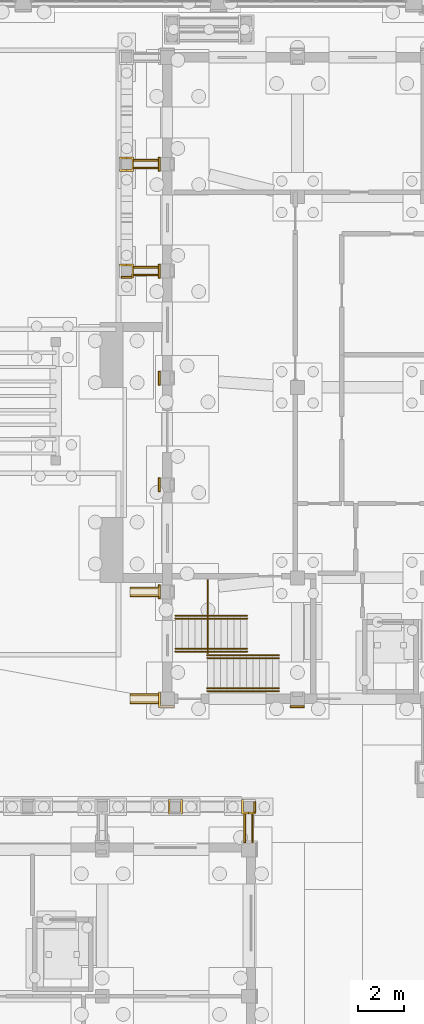
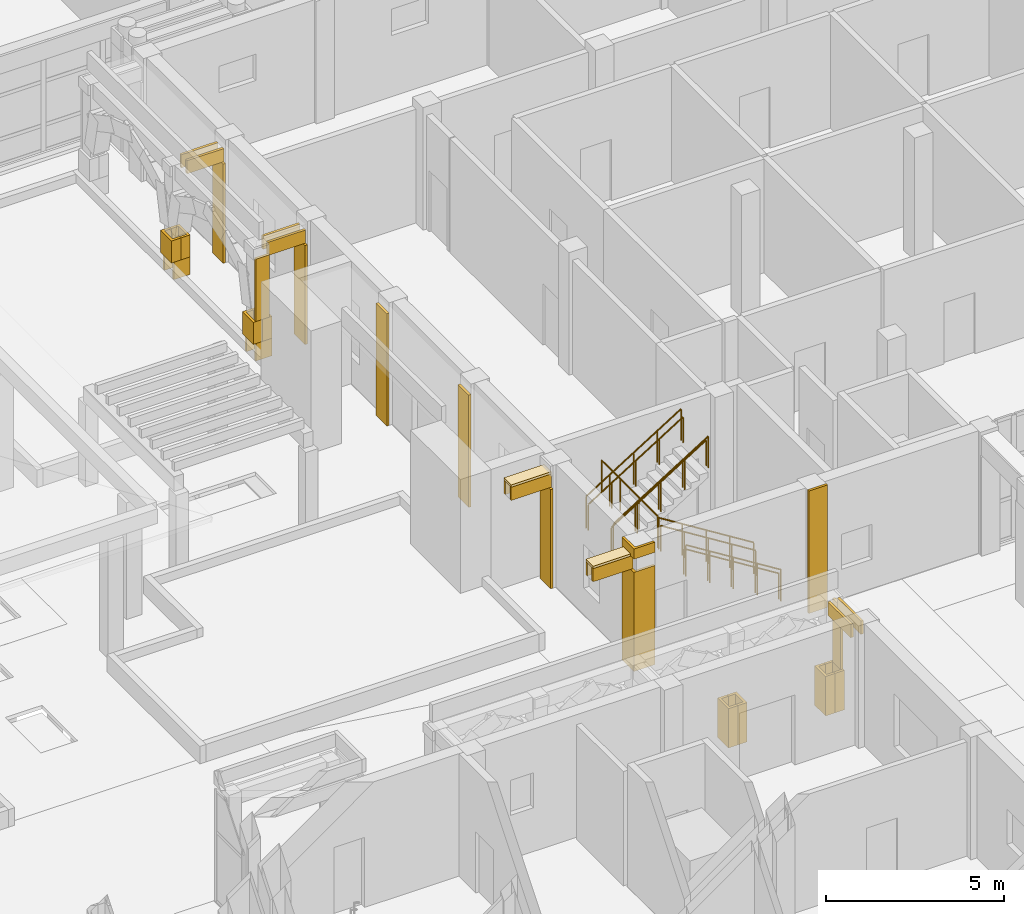
# One storey, part 99 of 112: 32 coverings, 9 railings.
"""IFC4 building model written with IfcOpenShell, lengths in metres."""

from ifc_helpers import new_model, si_unit, direction, frame, origin, origin_2d, place, context, subcontext, project, spatial, polyline, circle, outline, extrude, material, layer, layer_set, type_object, element, save


model = new_model("IFC4")

# Units and contexts
model_context = context("Model", 3, precision=1e-05, world=origin(), true_north=direction((0.0, 1.0)))
body_context = subcontext(model_context, "Body", "Model", "MODEL_VIEW")
ifc_project = project(units=[si_unit("LENGTHUNIT", "METRE"), si_unit("AREAUNIT", "SQUARE_METRE"), si_unit("VOLUMEUNIT", "CUBIC_METRE"), si_unit("PLANEANGLEUNIT", "RADIAN"), si_unit("MASSUNIT", "GRAM", prefix="KILO")], contexts=[model_context])

# Site, building, storey
site_placement = place(None, origin())
site = spatial("IfcSite", under=ifc_project, at=site_placement, CompositionType="ELEMENT")
building_placement = place(site_placement, origin())
building = spatial("IfcBuilding", under=site, at=building_placement, Name="Wasatch Bagh Community Centre", CompositionType="ELEMENT")
storey_placement = place(building_placement, origin())
storey = spatial("IfcBuildingStorey", under=building, at=storey_placement, Name="L00", CompositionType="ELEMENT", Elevation=0.0)

# Coverings
ifc_material_1 = material(Name="Cast stone cladding", Category="masonry")
ifc_layer_1 = layer(ifc_material_1, 0.080078125)
ifc_layer_set_1 = layer_set([ifc_layer_1], Name="Cast stone cladding")
covering_type_1 = type_object("IfcCoveringType", Name="CL-B7 beam facing", PredefinedType="CLADDING", material=ifc_layer_set_1)
covering_1_placement = place(storey_placement, frame((0.0, 0.0, 3.39990234375)))
element("IfcCovering", 1, at=covering_1_placement, inside=storey, type_object=covering_type_1, Name="Beam facing", PredefinedType="CLADDING", context=body_context, shape_type="SweptSolid", body=[
    extrude(outline(polyline([(115.574951171875, 32.0), (115.574951171875, 33.2900390625), (115.4951171875, 33.2900390625), (115.4951171875, 32.0), (115.574951171875, 32.0)])), origin(), (0.0, 0.0, 1.0), 0.4501953125),
])
covering_2_placement = place(storey_placement, frame((0.0, 0.0, 3.39990234375)))
element("IfcCovering", 2, at=covering_2_placement, inside=storey, type_object=covering_type_1, Name="Beam facing", PredefinedType="CLADDING", context=body_context, shape_type="SweptSolid", body=[
    extrude(outline(polyline([(115.824951171875, 32.0), (115.824951171875, 33.324951171875), (115.905029296875, 33.324951171875), (115.905029296875, 32.0), (115.824951171875, 32.0)])), origin(), (0.0, 0.0, 1.0), 0.4501953125),
])
covering_3_placement = place(storey_placement, frame((0.0, 0.0, 3.39990234375)))
element("IfcCovering", 3, at=covering_3_placement, inside=storey, type_object=covering_type_1, Name="Beam facing", PredefinedType="CLADDING", context=body_context, shape_type="SweptSolid", body=[
    extrude(outline(polyline([(111.89990234375, 38.074951171875), (110.60009765625, 38.074951171875), (110.60009765625, 37.9951171875), (111.89990234375, 37.9951171875), (111.89990234375, 38.074951171875)])), origin(), (0.0, 0.0, 1.0), 0.4501953125),
])
covering_4_placement = place(storey_placement, frame((0.0, 0.0, 3.39990234375)))
element("IfcCovering", 4, at=covering_4_placement, inside=storey, type_object=covering_type_1, Name="Beam facing", PredefinedType="CLADDING", context=body_context, shape_type="SweptSolid", body=[
    extrude(outline(polyline([(111.89990234375, 38.324951171875), (110.60009765625, 38.324951171875), (110.60009765625, 38.405029296875), (111.89990234375, 38.405029296875), (111.89990234375, 38.324951171875)])), origin(), (0.0, 0.0, 1.0), 0.4501953125),
])
covering_5_placement = place(storey_placement, frame((0.0, 0.0, 3.85009765625)))
element("IfcCovering", 5, at=covering_5_placement, inside=storey, type_object=covering_type_1, Name="Beam facing", PredefinedType="CLADDING", context=body_context, shape_type="SweptSolid", body=[
    extrude(outline(polyline([(111.89990234375, 38.405029296875), (110.60009765625, 38.405029296875), (110.60009765625, 37.9951171875), (111.89990234375, 37.9951171875), (111.89990234375, 38.405029296875)])), origin(), (0.0, 0.0, 1.0), 0.079833984375),
])
covering_6_placement = place(storey_placement, frame((0.0, 0.0, 3.39990234375)))
element("IfcCovering", 6, at=covering_6_placement, inside=storey, type_object=covering_type_1, Name="Beam facing", PredefinedType="CLADDING", context=body_context, shape_type="SweptSolid", body=[
    extrude(outline(polyline([(111.89990234375, 42.675048828125), (110.60009765625, 42.675048828125), (110.60009765625, 42.594970703125), (111.89990234375, 42.594970703125), (111.89990234375, 42.675048828125)])), origin(), (0.0, 0.0, 1.0), 0.4501953125),
])
covering_7_placement = place(storey_placement, frame((0.0, 0.0, 3.39990234375)))
element("IfcCovering", 7, at=covering_7_placement, inside=storey, type_object=covering_type_1, Name="Beam facing", PredefinedType="CLADDING", context=body_context, shape_type="SweptSolid", body=[
    extrude(outline(polyline([(111.89990234375, 42.925048828125), (110.60009765625, 42.925048828125), (110.60009765625, 43.0048828125), (111.89990234375, 43.0048828125), (111.89990234375, 42.925048828125)])), origin(), (0.0, 0.0, 1.0), 0.4501953125),
])
covering_8_placement = place(storey_placement, frame((0.0, 0.0, 3.85009765625)))
element("IfcCovering", 8, at=covering_8_placement, inside=storey, type_object=covering_type_1, Name="Beam facing", PredefinedType="CLADDING", context=body_context, shape_type="SweptSolid", body=[
    extrude(outline(polyline([(111.89990234375, 43.0048828125), (110.60009765625, 43.0048828125), (110.60009765625, 42.594970703125), (111.89990234375, 42.594970703125), (111.89990234375, 43.0048828125)])), origin(), (0.0, 0.0, 1.0), 0.079833984375),
])
covering_9_placement = place(storey_placement, frame((0.0, 0.0, 3.39990234375)))
element("IfcCovering", 9, at=covering_9_placement, inside=storey, type_object=covering_type_1, Name="Beam facing", PredefinedType="CLADDING", context=body_context, shape_type="SweptSolid", body=[
    extrude(outline(polyline([(111.89990234375, 56.47509765625), (110.675048828125, 56.47509765625), (110.675048828125, 56.39501953125), (111.89990234375, 56.39501953125), (111.89990234375, 56.47509765625)])), origin(), (0.0, 0.0, 1.0), 0.4501953125),
])
covering_10_placement = place(storey_placement, frame((0.0, 0.0, 3.39990234375)))
element("IfcCovering", 10, at=covering_10_placement, inside=storey, type_object=covering_type_1, Name="Beam facing", PredefinedType="CLADDING", context=body_context, shape_type="SweptSolid", body=[
    extrude(outline(polyline([(111.89990234375, 56.72509765625), (110.7099609375, 56.72509765625), (110.7099609375, 56.804931640625), (111.89990234375, 56.804931640625), (111.89990234375, 56.72509765625)])), origin(), (0.0, 0.0, 1.0), 0.4501953125),
])
covering_11_placement = place(storey_placement, frame((0.0, 0.0, 3.39990234375)))
element("IfcCovering", 11, at=covering_11_placement, inside=storey, type_object=covering_type_1, Name="Beam facing", PredefinedType="CLADDING", context=body_context, shape_type="SweptSolid", body=[
    extrude(outline(polyline([(111.89990234375, 61.074951171875), (110.7099609375, 61.074951171875), (110.7099609375, 60.9951171875), (111.89990234375, 60.9951171875), (111.89990234375, 61.074951171875)])), origin(), (0.0, 0.0, 1.0), 0.4501953125),
])
covering_12_placement = place(storey_placement, frame((0.0, 0.0, 3.39990234375)))
element("IfcCovering", 12, at=covering_12_placement, inside=storey, type_object=covering_type_1, Name="Beam facing", PredefinedType="CLADDING", context=body_context, shape_type="SweptSolid", body=[
    extrude(outline(polyline([(111.89990234375, 61.324951171875), (110.7099609375, 61.324951171875), (110.7099609375, 61.405029296875), (111.89990234375, 61.405029296875), (111.89990234375, 61.324951171875)])), origin(), (0.0, 0.0, 1.0), 0.4501953125),
])
ifc_layer_2 = layer(ifc_material_1, 0.080078125)
ifc_layer_set_2 = layer_set([ifc_layer_2], Name="Cast stone cladding")
covering_type_2 = type_object("IfcCoveringType", Name="CL-C1 column facing", PredefinedType="CLADDING", material=ifc_layer_set_2)
covering_13_placement = place(storey_placement, origin())
element("IfcCovering", 13, at=covering_13_placement, inside=storey, type_object=covering_type_2, Name="Column facing", PredefinedType="CLADDING", context=body_context, shape_type="SweptSolid", body=[
    extrude(outline(polyline([(112.2451171875, 33.77490234375), (112.2451171875, 33.85498046875), (112.324951171875, 33.85498046875), (112.550048828125, 33.85498046875), (112.550048828125, 33.77490234375), (112.324951171875, 33.77490234375), (112.324951171875, 33.324951171875), (112.550048828125, 33.324951171875), (112.550048828125, 33.2451171875), (112.2451171875, 33.2451171875), (112.2451171875, 33.324951171875), (112.2451171875, 33.77490234375)])), origin(), (0.0, 0.0, 1.0), 1.352294921875),
])
covering_14_placement = place(storey_placement, origin())
element("IfcCovering", 14, at=covering_14_placement, inside=storey, type_object=covering_type_2, Name="Column facing", PredefinedType="CLADDING", context=body_context, shape_type="SweptSolid", body=[
    extrude(outline(polyline([(112.77490234375, 33.85498046875), (112.85498046875, 33.85498046875), (112.85498046875, 33.77490234375), (112.85498046875, 33.324951171875), (112.85498046875, 33.2451171875), (112.550048828125, 33.2451171875), (112.550048828125, 33.324951171875), (112.77490234375, 33.324951171875), (112.77490234375, 33.77490234375), (112.550048828125, 33.77490234375), (112.550048828125, 33.85498046875), (112.77490234375, 33.85498046875)])), origin(), (0.0, 0.0, 1.0), 1.352294921875),
])
covering_15_placement = place(storey_placement, origin())
element("IfcCovering", 15, at=covering_15_placement, inside=storey, type_object=covering_type_2, Name="Column facing", PredefinedType="CLADDING", context=body_context, shape_type="SweptSolid", body=[
    extrude(outline(polyline([(115.47509765625, 33.85498046875), (115.699951171875, 33.85498046875), (115.699951171875, 33.77490234375), (115.47509765625, 33.77490234375), (115.47509765625, 33.324951171875), (115.699951171875, 33.324951171875), (115.699951171875, 33.2451171875), (115.39501953125, 33.2451171875), (115.39501953125, 33.85498046875), (115.47509765625, 33.85498046875)])), origin(), (0.0, 0.0, 1.0), 1.352294921875),
])
covering_16_placement = place(storey_placement, origin())
element("IfcCovering", 16, at=covering_16_placement, inside=storey, type_object=covering_type_2, Name="Column facing", PredefinedType="CLADDING", context=body_context, shape_type="SweptSolid", body=[
    extrude(outline(polyline([(115.925048828125, 33.85498046875), (116.0048828125, 33.85498046875), (116.0048828125, 33.2451171875), (115.699951171875, 33.2451171875), (115.699951171875, 33.324951171875), (115.925048828125, 33.324951171875), (115.925048828125, 33.77490234375), (115.699951171875, 33.77490234375), (115.699951171875, 33.85498046875), (115.925048828125, 33.85498046875)])), origin(), (0.0, 0.0, 1.0), 1.352294921875),
])
covering_17_placement = place(storey_placement, frame((0.0, 0.0, 1.352294921875)))
element("IfcCovering", 17, at=covering_17_placement, inside=storey, type_object=covering_type_2, Name="Column facing", PredefinedType="CLADDING", context=body_context, shape_type="SweptSolid", body=[
    extrude(outline(polyline([(115.925048828125, 33.324951171875), (115.925048828125, 33.77490234375), (116.0048828125, 33.77490234375), (116.0048828125, 33.324951171875), (115.925048828125, 33.324951171875)])), origin(), (0.0, 0.0, 1.0), 2.181884765625),
])
covering_18_placement = place(storey_placement, origin())
element("IfcCovering", 18, at=covering_18_placement, inside=storey, type_object=covering_type_2, Name="Column facing", PredefinedType="CLADDING", context=body_context, shape_type="SweptSolid", body=[
    extrude(outline(polyline([(110.7548828125, 56.294921875), (110.22509765625, 56.294921875), (110.22509765625, 56.375), (110.675048828125, 56.375), (110.675048828125, 56.824951171875), (110.22509765625, 56.824951171875), (110.22509765625, 56.905029296875), (110.7548828125, 56.905029296875), (110.7548828125, 56.294921875)])), origin(), (0.0, 0.0, 1.0), 0.60009765625),
])
covering_19_placement = place(storey_placement, frame((0.0, 0.0, 0.60009765625)))
element("IfcCovering", 19, at=covering_19_placement, inside=storey, type_object=covering_type_2, Name="Column facing", PredefinedType="CLADDING", context=body_context, shape_type="SweptSolid", body=[
    extrude(outline(polyline([(110.449951171875, 56.905029296875), (110.449951171875, 56.824951171875), (110.22509765625, 56.824951171875), (110.22509765625, 56.375), (110.449951171875, 56.375), (110.449951171875, 56.294921875), (110.14501953125, 56.294921875), (110.14501953125, 56.905029296875), (110.449951171875, 56.905029296875)])), origin(), (0.0, 0.0, 1.0), 0.755126953125),
])
covering_20_placement = place(storey_placement, frame((0.0, 0.0, 0.60009765625)))
element("IfcCovering", 20, at=covering_20_placement, inside=storey, type_object=covering_type_2, Name="Column facing", PredefinedType="CLADDING", context=body_context, shape_type="SweptSolid", body=[
    extrude(outline(polyline([(110.7548828125, 56.905029296875), (110.7548828125, 56.294921875), (110.449951171875, 56.294921875), (110.449951171875, 56.375), (110.675048828125, 56.375), (110.675048828125, 56.824951171875), (110.449951171875, 56.824951171875), (110.449951171875, 56.905029296875), (110.7548828125, 56.905029296875)])), origin(), (0.0, 0.0, 1.0), 0.755126953125),
])
covering_21_placement = place(storey_placement, frame((0.0, 0.0, 1.355224609375)))
element("IfcCovering", 21, at=covering_21_placement, inside=storey, type_object=covering_type_2, Name="Column facing", PredefinedType="CLADDING", context=body_context, shape_type="SweptSolid", body=[
    extrude(outline(polyline([(110.22509765625, 56.375), (110.675048828125, 56.375), (110.675048828125, 56.294921875), (110.22509765625, 56.294921875), (110.22509765625, 56.375)])), origin(), (0.0, 0.0, 1.0), 2.13818359375),
])
covering_22_placement = place(storey_placement, origin())
element("IfcCovering", 22, at=covering_22_placement, inside=storey, type_object=covering_type_2, Name="Column facing", PredefinedType="CLADDING", context=body_context, shape_type="SweptSolid", body=[
    extrude(outline(polyline([(110.7548828125, 60.89501953125), (110.22509765625, 60.89501953125), (110.22509765625, 60.97509765625), (110.675048828125, 60.97509765625), (110.675048828125, 61.425048828125), (110.22509765625, 61.425048828125), (110.22509765625, 61.5048828125), (110.675048828125, 61.5048828125), (110.7548828125, 61.5048828125), (110.7548828125, 60.89501953125)])), origin(), (0.0, 0.0, 1.0), 0.60009765625),
])
covering_23_placement = place(storey_placement, frame((0.0, 0.0, 0.60009765625)))
element("IfcCovering", 23, at=covering_23_placement, inside=storey, type_object=covering_type_2, Name="Column facing", PredefinedType="CLADDING", context=body_context, shape_type="SweptSolid", body=[
    extrude(outline(polyline([(110.22509765625, 61.5048828125), (110.449951171875, 61.5048828125), (110.449951171875, 61.425048828125), (110.22509765625, 61.425048828125), (110.22509765625, 60.97509765625), (110.449951171875, 60.97509765625), (110.449951171875, 60.89501953125), (110.14501953125, 60.89501953125), (110.14501953125, 61.5048828125), (110.22509765625, 61.5048828125)])), origin(), (0.0, 0.0, 1.0), 0.755126953125),
])
covering_24_placement = place(storey_placement, frame((0.0, 0.0, 0.60009765625)))
element("IfcCovering", 24, at=covering_24_placement, inside=storey, type_object=covering_type_2, Name="Column facing", PredefinedType="CLADDING", context=body_context, shape_type="SweptSolid", body=[
    extrude(outline(polyline([(110.675048828125, 61.5048828125), (110.7548828125, 61.5048828125), (110.7548828125, 60.89501953125), (110.449951171875, 60.89501953125), (110.449951171875, 60.97509765625), (110.675048828125, 60.97509765625), (110.675048828125, 61.425048828125), (110.449951171875, 61.425048828125), (110.449951171875, 61.5048828125), (110.675048828125, 61.5048828125)])), origin(), (0.0, 0.0, 1.0), 0.755126953125),
])
covering_25_placement = place(storey_placement, origin())
element("IfcCovering", 25, at=covering_25_placement, inside=storey, type_object=covering_type_2, Name="Column facing", PredefinedType="CLADDING", context=body_context, shape_type="SweptSolid", body=[
    extrude(outline(polyline([(111.820068359375, 37.820068359375), (111.820068359375, 38.5), (111.89990234375, 38.5), (111.89990234375, 37.89990234375), (112.5, 37.89990234375), (112.5, 37.820068359375), (111.820068359375, 37.820068359375)])), origin(), (0.0, 0.0, 1.0), 3.39990234375),
])
covering_26_placement = place(storey_placement, frame((0.0, 0.0, 3.85009765625)))
element("IfcCovering", 26, at=covering_26_placement, inside=storey, type_object=covering_type_2, Name="Column facing", PredefinedType="CLADDING", context=body_context, shape_type="SweptSolid", body=[
    extrude(outline(polyline([(111.820068359375, 37.820068359375), (111.820068359375, 38.5), (111.89990234375, 38.5), (111.89990234375, 37.89990234375), (112.5, 37.89990234375), (112.5, 37.820068359375), (111.820068359375, 37.820068359375)])), origin(), (0.0, 0.0, 1.0), 0.349853515625),
])
covering_27_placement = place(storey_placement, origin())
element("IfcCovering", 27, at=covering_27_placement, inside=storey, type_object=covering_type_2, Name="Column facing", PredefinedType="CLADDING", context=body_context, shape_type="SweptSolid", body=[
    extrude(outline(polyline([(117.5, 37.89990234375), (118.10009765625, 37.89990234375), (118.10009765625, 37.820068359375), (117.5, 37.820068359375), (117.5, 37.89990234375)])), origin(), (0.0, 0.0, 1.0), 4.199951171875),
])
covering_28_placement = place(storey_placement, origin())
element("IfcCovering", 28, at=covering_28_placement, inside=storey, type_object=covering_type_2, Name="Column facing", PredefinedType="CLADDING", context=body_context, shape_type="SweptSolid", body=[
    extrude(outline(polyline([(111.89990234375, 43.10009765625), (111.89990234375, 42.5), (111.820068359375, 42.5), (111.820068359375, 43.10009765625), (111.89990234375, 43.10009765625)])), origin(), (0.0, 0.0, 1.0), 3.39990234375),
])
covering_29_placement = place(storey_placement, origin())
element("IfcCovering", 29, at=covering_29_placement, inside=storey, type_object=covering_type_2, Name="Column facing", PredefinedType="CLADDING", context=body_context, shape_type="SweptSolid", body=[
    extrude(outline(polyline([(111.89990234375, 47.699951171875), (111.89990234375, 47.10009765625), (111.820068359375, 47.10009765625), (111.820068359375, 47.699951171875), (111.89990234375, 47.699951171875)])), origin(), (0.0, 0.0, 1.0), 3.85009765625),
])
covering_30_placement = place(storey_placement, origin())
element("IfcCovering", 30, at=covering_30_placement, inside=storey, type_object=covering_type_2, Name="Column facing", PredefinedType="CLADDING", context=body_context, shape_type="SweptSolid", body=[
    extrude(outline(polyline([(111.89990234375, 52.300048828125), (111.89990234375, 51.699951171875), (111.820068359375, 51.699951171875), (111.820068359375, 52.300048828125), (111.89990234375, 52.300048828125)])), origin(), (0.0, 0.0, 1.0), 3.85009765625),
])
covering_31_placement = place(storey_placement, origin())
element("IfcCovering", 31, at=covering_31_placement, inside=storey, type_object=covering_type_2, Name="Column facing", PredefinedType="CLADDING", context=body_context, shape_type="SweptSolid", body=[
    extrude(outline(polyline([(111.89990234375, 56.89990234375), (111.89990234375, 56.300048828125), (111.820068359375, 56.300048828125), (111.820068359375, 56.89990234375), (111.89990234375, 56.89990234375)])), origin(), (0.0, 0.0, 1.0), 3.39990234375),
])
covering_32_placement = place(storey_placement, origin())
element("IfcCovering", 32, at=covering_32_placement, inside=storey, type_object=covering_type_2, Name="Column facing", PredefinedType="CLADDING", context=body_context, shape_type="SweptSolid", body=[
    extrude(outline(polyline([(111.89990234375, 61.5), (111.89990234375, 60.89990234375), (111.820068359375, 60.89990234375), (111.820068359375, 61.5), (111.89990234375, 61.5)])), origin(), (0.0, 0.0, 1.0), 3.39990234375),
])

# Railings
ifc_material_2 = material(Name="ASTM A36 steel", Category="steel")
railing_type_1 = type_object("IfcRailingType", Name="SH guard", PredefinedType="GUARDRAIL", material=ifc_material_2)
for number, where, name in (
    (33, (117.0, 38.530029296875, 0.175048828125), "GUARD ST1"),
    (34, (117.0, 40.070068359375, 0.175048828125), "GUARD ST1"),
):
    element("IfcRailing", number, at=place(storey_placement, frame(where)), inside=storey, type_object=railing_type_1, Name=name, PredefinedType="GUARDRAIL", context=body_context, shape_type="SweptSolid", body=[
        extrude(circle(Radius=0.02392578125, at=origin_2d()), frame((0.0, 0.0, 1.076171875), z_axis=(-0.847998304005, 0.0, 0.529998940003), x_axis=(0.0, -1.0, 0.0)), (0.0, 0.0, 1.0), 3.632080078125),
        extrude(circle(Radius=0.02099609375, at=origin_2d()), origin(), (0.0, 0.0, 1.0), 1.052001953125),
        extrude(circle(Radius=0.02099609375, at=origin_2d()), frame((-0.77001953125, 0.0, 0.481201171875)), (0.0, 0.0, 1.0), 1.052001953125),
        extrude(circle(Radius=0.02099609375, at=origin_2d()), frame((-1.5400390625, 0.0, 0.96240234375)), (0.0, 0.0, 1.0), 1.052001953125),
        extrude(circle(Radius=0.02099609375, at=origin_2d()), frame((-2.31005859375, 0.0, 1.44384765625)), (0.0, 0.0, 1.0), 1.052001953125),
        extrude(circle(Radius=0.02099609375, at=origin_2d()), frame((-3.080078125, 0.0, 1.925048828125)), (0.0, 0.0, 1.0), 1.052001953125),
    ])
for number, where, name in (
    (35, (112.550048828125, 41.77001953125, 2.27490234375), "GUARD ST1"),
    (36, (112.550048828125, 40.22998046875, 2.27490234375), "GUARD ST1"),
):
    element("IfcRailing", number, at=place(storey_placement, frame(where)), inside=storey, type_object=railing_type_1, Name=name, PredefinedType="GUARDRAIL", context=body_context, shape_type="SweptSolid", body=[
        extrude(circle(Radius=0.02392578125, at=origin_2d()), frame((0.0, 0.0, 1.076171875), z_axis=(0.847979421464, 0.0, 0.530029150871), x_axis=(0.0, 1.0, 0.0)), (0.0, 0.0, 1.0), 3.632080078125),
        extrude(circle(Radius=0.02099609375, at=origin_2d()), origin(), (0.0, 0.0, 1.0), 1.052001953125),
        extrude(circle(Radius=0.02099609375, at=origin_2d()), frame((0.77001953125, 0.0, 0.481201171875)), (0.0, 0.0, 1.0), 1.052001953125),
        extrude(circle(Radius=0.02099609375, at=origin_2d()), frame((1.5400390625, 0.0, 0.96240234375)), (0.0, 0.0, 1.0), 1.052001953125),
        extrude(circle(Radius=0.02099609375, at=origin_2d()), frame((2.309814453125, 0.0, 1.44384765625)), (0.0, 0.0, 1.0), 1.052001953125),
        extrude(circle(Radius=0.02099609375, at=origin_2d()), frame((3.079833984375, 0.0, 1.925048828125)), (0.0, 0.0, 1.0), 1.052001953125),
    ])
railing_placement = place(storey_placement, frame((113.93994140625, 40.14990234375, 2.10009765625)))
element("IfcRailing", 37, at=railing_placement, inside=storey, type_object=railing_type_1, Name="GUARD ST1", PredefinedType="GUARDRAIL", context=body_context, shape_type="SweptSolid", body=[
    extrude(circle(Radius=0.02392578125, at=origin_2d()), frame((0.0, 0.0, 1.076171875), z_axis=(0.0, 1.0, 0.0), x_axis=(-1.0, 0.0, 0.0)), (0.0, 0.0, 1.0), 3.150146484375),
    extrude(circle(Radius=0.02099609375, at=origin_2d()), origin(), (0.0, 0.0, 1.0), 1.052001953125),
    extrude(circle(Radius=0.02099609375, at=origin_2d()), frame((0.0, 1.050048828125, 0.0)), (0.0, 0.0, 1.0), 1.052001953125),
    extrude(circle(Radius=0.02099609375, at=origin_2d()), frame((0.0, 2.10009765625, 0.0)), (0.0, 0.0, 1.0), 1.052001953125),
    extrude(circle(Radius=0.02099609375, at=origin_2d()), frame((0.0, 3.150146484375, 0.0)), (0.0, 0.0, 1.0), 1.052001953125),
])
railing_type_2 = type_object("IfcRailingType", Name="SH handrail", PredefinedType="HANDRAIL", material=ifc_material_2)
for number, where, name in (
    (38, (117.0, 38.64990234375, 0.175048828125), "HANDRAIL ST1"),
    (39, (117.0, 39.949951171875, 0.175048828125), "HANDRAIL ST1"),
):
    element("IfcRailing", number, at=place(storey_placement, frame(where)), inside=storey, type_object=railing_type_2, Name=name, PredefinedType="HANDRAIL", context=body_context, shape_type="SweptSolid", body=[
        extrude(circle(Radius=0.02392578125, at=origin_2d()), frame((0.0, 0.0, 0.8759765625), z_axis=(-0.847998304005, 0.0, 0.529998940003), x_axis=(0.0, -1.0, 0.0)), (0.0, 0.0, 1.0), 3.632080078125),
        extrude(circle(Radius=0.02099609375, at=origin_2d()), origin(), (0.0, 0.0, 1.0), 0.851806640625),
        extrude(circle(Radius=0.02099609375, at=origin_2d()), frame((-0.77001953125, 0.0, 0.481201171875)), (0.0, 0.0, 1.0), 0.851806640625),
        extrude(circle(Radius=0.02099609375, at=origin_2d()), frame((-1.5400390625, 0.0, 0.96240234375)), (0.0, 0.0, 1.0), 0.851806640625),
        extrude(circle(Radius=0.02099609375, at=origin_2d()), frame((-2.31005859375, 0.0, 1.44384765625)), (0.0, 0.0, 1.0), 0.851806640625),
        extrude(circle(Radius=0.02099609375, at=origin_2d()), frame((-3.080078125, 0.0, 1.925048828125)), (0.0, 0.0, 1.0), 0.851806640625),
    ])
for number, where, name in (
    (40, (112.550048828125, 41.64990234375, 2.27490234375), "HANDRAIL ST1"),
    (41, (112.550048828125, 40.35009765625, 2.27490234375), "HANDRAIL ST1"),
):
    element("IfcRailing", number, at=place(storey_placement, frame(where)), inside=storey, type_object=railing_type_2, Name=name, PredefinedType="HANDRAIL", context=body_context, shape_type="SweptSolid", body=[
        extrude(circle(Radius=0.02392578125, at=origin_2d()), frame((0.0, 0.0, 0.8759765625), z_axis=(0.847979421464, 0.0, 0.530029150871), x_axis=(0.0, 1.0, 0.0)), (0.0, 0.0, 1.0), 3.632080078125),
        extrude(circle(Radius=0.02099609375, at=origin_2d()), origin(), (0.0, 0.0, 1.0), 0.851806640625),
        extrude(circle(Radius=0.02099609375, at=origin_2d()), frame((0.77001953125, 0.0, 0.481201171875)), (0.0, 0.0, 1.0), 0.851806640625),
        extrude(circle(Radius=0.02099609375, at=origin_2d()), frame((1.5400390625, 0.0, 0.96240234375)), (0.0, 0.0, 1.0), 0.851806640625),
        extrude(circle(Radius=0.02099609375, at=origin_2d()), frame((2.309814453125, 0.0, 1.44384765625)), (0.0, 0.0, 1.0), 0.851806640625),
        extrude(circle(Radius=0.02099609375, at=origin_2d()), frame((3.079833984375, 0.0, 1.925048828125)), (0.0, 0.0, 1.0), 0.851806640625),
    ])

save(model, "model.ifc")
